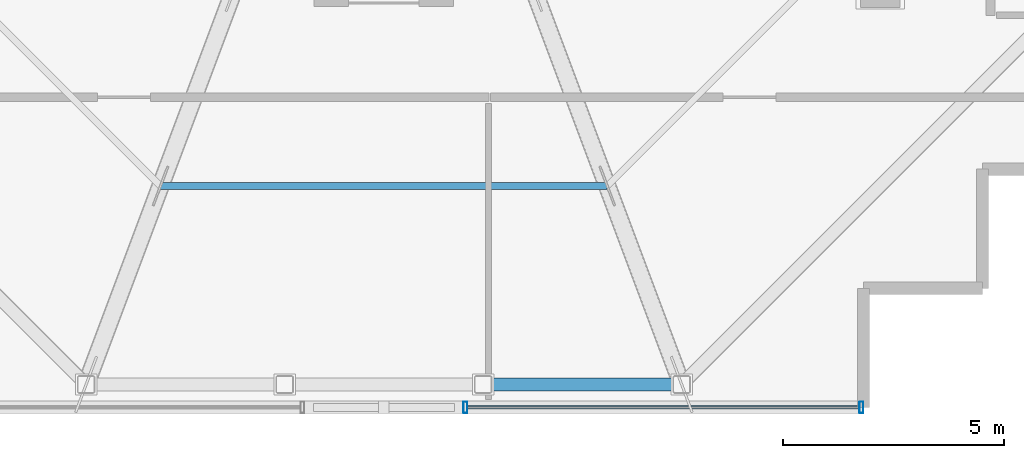
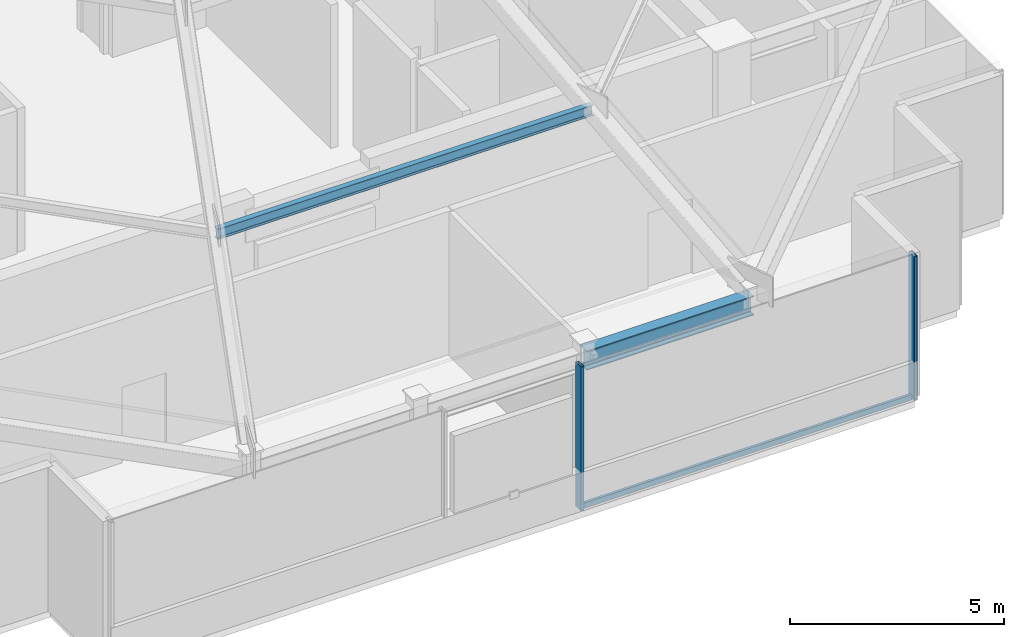
# One storey, part 4 of 17: 4 members, 1 beam, 1 element without a shape of its own.
"""IFC4 building model written with IfcOpenShell, lengths in metres."""

from ifc_helpers import new_model, si_unit, direction, frame, origin, origin_2d, place, context, subcontext, project, spatial, hollow_rectangle, i_section, extrude, source, transform, mapped, material, layer, layer_set, material_profile, profile_set, type_object, element, aggregate, save


model = new_model("IFC4")

# Units and contexts
model_context = context("Model", 3, precision=1e-05, world=origin(), true_north=direction((0.0, 1.0)))
body_context = subcontext(model_context, "Body", "Model", "MODEL_VIEW")
ifc_project = project(units=[si_unit("LENGTHUNIT", "METRE"), si_unit("AREAUNIT", "SQUARE_METRE"), si_unit("VOLUMEUNIT", "CUBIC_METRE"), si_unit("PLANEANGLEUNIT", "RADIAN"), si_unit("MASSUNIT", "GRAM", prefix="KILO")], contexts=[model_context])

# Site, building, storey
site_placement = place(None, origin())
site = spatial("IfcSite", under=ifc_project, at=site_placement, CompositionType="ELEMENT")
building_placement = place(site_placement, origin())
building = spatial("IfcBuilding", under=site, at=building_placement, Name="Nefas-Gora Pilgrimage Tower", CompositionType="ELEMENT")
storey_placement = place(building_placement, frame((0.0, 0.0, 367.39990234375)))
storey = spatial("IfcBuildingStorey", under=building, at=storey_placement, Name="L92", CompositionType="ELEMENT", Elevation=367.39990234375)

# Beam
ifc_material_1 = material(Name="Steel S355", Category="steel")
ifc_material_profile_1 = material_profile(ifc_material_1, i_section(OverallWidth=0.300048828125, OverallDepth=0.550048828125, WebThickness=0.014892578125, FlangeThickness=0.029052734375, FilletRadius=0.027099609375, at=origin_2d()), Name="HEB 550")
ifc_profile_set_1 = profile_set([ifc_material_profile_1], Name="Steel S355")
beam_type = type_object("IfcBeamType", Name="BM-SPN-HEB400", PredefinedType="SPANDREL", material=ifc_profile_set_1)
shared_shape_1 = source(origin(), body_context, "Body", "SweptSolid", [
    extrude(i_section(OverallWidth=0.300048828125, OverallDepth=0.550048828125, WebThickness=0.014892578125, FlangeThickness=0.029052734375, FilletRadius=0.027099609375, at=origin_2d()), origin(), (0.0, 0.0, 1.0), 4.5),
])
beam_placement = place(storey_placement, frame((2.25, -18.0, 3.8251953125), z_axis=(1.0, 0.0, 0.0), x_axis=(0.0, 1.0, 0.0)))
element("IfcBeam", 1, at=beam_placement, inside=storey, type_object=beam_type, Name="L92 SP-04 beam", PredefinedType="SPANDREL", context=body_context, shape_type="MappedRepresentation", body=[
    mapped(shared_shape_1, transform((0.0, 0.0, 0.0), x_axis=(1.0, 0.0, 0.0), y_axis=(0.0, 1.0, 0.0), z_axis=(0.0, 0.0, 1.0), scale=1.0)),
])

# Member
ifc_material_profile_2 = material_profile(ifc_material_1, i_section(OverallWidth=0.14990234375, OverallDepth=0.300048828125, WebThickness=0.007080078125, FlangeThickness=0.0107421875, FilletRadius=0.014892578125, at=origin_2d()), Name="IPE 300")
ifc_profile_set_2 = profile_set([ifc_material_profile_2], Name="Steel S355")
member_type_1 = type_object("IfcMemberType", Name="MEM-CROWN-PURLIN", PredefinedType="PURLIN", material=ifc_profile_set_2)
shared_shape_2 = source(origin(), body_context, "Body", "SweptSolid", [
    extrude(i_section(OverallWidth=0.14990234375, OverallDepth=0.300048828125, WebThickness=0.007080078125, FlangeThickness=0.0107421875, FilletRadius=0.014892578125, at=origin_2d()), origin(), (0.0, 0.0, 1.0), 10.125),
])
member_1_placement = place(storey_placement, frame((-5.0625, -13.5, 7.205078125), z_axis=(1.0, 0.0, 0.0), x_axis=(0.0, 1.0, 0.0)))
element("IfcMember", 2, at=member_1_placement, inside=storey, type_object=member_type_1, Name="CROWN FRAME Facet Purlin 7", PredefinedType="PURLIN", context=body_context, shape_type="MappedRepresentation", body=[
    mapped(shared_shape_2, transform((0.0, 0.0, 0.0), x_axis=(1.0, 0.0, 0.0), y_axis=(0.0, 1.0, 0.0), z_axis=(0.0, 0.0, 1.0), scale=1.0)),
])

# Curtain wall, members
ifc_material_2 = material(Name="Dark ceramic-fritted solar-control aluminium-glass curtain wall", Category="aluminium")
ifc_layer = layer(ifc_material_2, 0.219970703125)
ifc_layer_set = layer_set([ifc_layer], Name="Dark ceramic-fritted solar-control aluminium-glass curtain wall")
curtain_wall_type = type_object("IfcCurtainWallType", Name="CW-SYS-6", PredefinedType="NOTDEFINED", material=ifc_layer_set)
curtain_wall_placement = place(storey_placement, origin())
curtain_wall = element("IfcCurtainWall", 3, at=curtain_wall_placement, inside=storey, type_object=curtain_wall_type, Name="L92 Unitised Curtain Wall CW6", PredefinedType="NOTDEFINED")
ifc_material_3 = material(Name="Anodised architectural aluminium", Category="aluminium")
ifc_material_profile_3 = material_profile(ifc_material_3, hollow_rectangle(XDim=0.080078125, YDim=0.159912109375, WallThickness=0.00439453125, InnerFilletRadius=0.00439453125, OuterFilletRadius=0.009033203125, at=origin_2d()), Name="ALU TRANSOM 80x160")
ifc_profile_set_3 = profile_set([ifc_material_profile_3], Name="Anodised architectural aluminium")
member_type_2 = type_object("IfcMemberType", Name="CWM-TRN-6", PredefinedType="USERDEFINED", material=ifc_profile_set_3)
shared_shape_3 = source(origin(), body_context, "Body", "SweptSolid", [
    extrude(hollow_rectangle(XDim=0.080078125, YDim=0.159912109375, WallThickness=0.00439453125, InnerFilletRadius=0.00439453125, OuterFilletRadius=0.009033203125, at=origin_2d()), origin(), (0.0, 0.0, 1.0), 8.89013671875),
])
member_2_placement = place(storey_placement, frame((1.889892578125, -18.52001953125, 0.050048828125), z_axis=(1.0, 0.0, 0.0), x_axis=(0.0, 1.0, 0.0)))
member_2 = element("IfcMember", 4, at=member_2_placement, type_object=member_type_2, Name="CW6 Spandrel Transom", ObjectType="TRANSOM", PredefinedType="USERDEFINED", context=body_context, shape_type="MappedRepresentation", body=[
    mapped(shared_shape_3, transform((0.0, 0.0, 0.0), x_axis=(1.0, 0.0, 0.0), y_axis=(0.0, 1.0, 0.0), z_axis=(0.0, 0.0, 1.0), scale=1.0)),
])
ifc_material_profile_4 = material_profile(ifc_material_3, hollow_rectangle(XDim=0.090087890625, YDim=0.260009765625, WallThickness=0.006103515625, InnerFilletRadius=0.006103515625, OuterFilletRadius=0.011962890625, at=origin_2d()), Name="ALU MULLION 90x260")
ifc_profile_set_4 = profile_set([ifc_material_profile_4], Name="Anodised architectural aluminium")
member_type_3 = type_object("IfcMemberType", Name="CWM-MUL-6", PredefinedType="MULLION", material=ifc_profile_set_4)
shared_shape_4 = source(origin(), body_context, "Body", "SweptSolid", [
    extrude(hollow_rectangle(XDim=0.090087890625, YDim=0.260009765625, WallThickness=0.006103515625, InnerFilletRadius=0.006103515625, OuterFilletRadius=0.011962890625, at=origin_2d()), origin(), (0.0, 0.0, 1.0), 4.10009765625),
])
member_3_placement = place(storey_placement, frame((1.844970703125, -18.52001953125, 0.0), z_axis=(0.0, 0.0, 1.0), x_axis=(1.0, 0.0, 0.0)))
member_3 = element("IfcMember", 5, at=member_3_placement, type_object=member_type_3, Name="CW6 Mullion 1", PredefinedType="MULLION", context=body_context, shape_type="MappedRepresentation", body=[
    mapped(shared_shape_4, transform((0.0, 0.0, 0.0), x_axis=(1.0, 0.0, 0.0), y_axis=(0.0, 1.0, 0.0), z_axis=(0.0, 0.0, 1.0), scale=1.0)),
])
member_4_placement = place(storey_placement, frame((10.824951171875, -18.52001953125, 0.0), z_axis=(0.0, 0.0, 1.0), x_axis=(1.0, 0.0, 0.0)))
member_4 = element("IfcMember", 6, at=member_4_placement, type_object=member_type_3, Name="CW6 Mullion 2", PredefinedType="MULLION", context=body_context, shape_type="MappedRepresentation", body=[
    mapped(shared_shape_4, transform((0.0, 0.0, 0.0), x_axis=(1.0, 0.0, 0.0), y_axis=(0.0, 1.0, 0.0), z_axis=(0.0, 0.0, 1.0), scale=1.0)),
])
aggregate(curtain_wall, [member_3, member_4, member_2])

save(model, "model.ifc")
